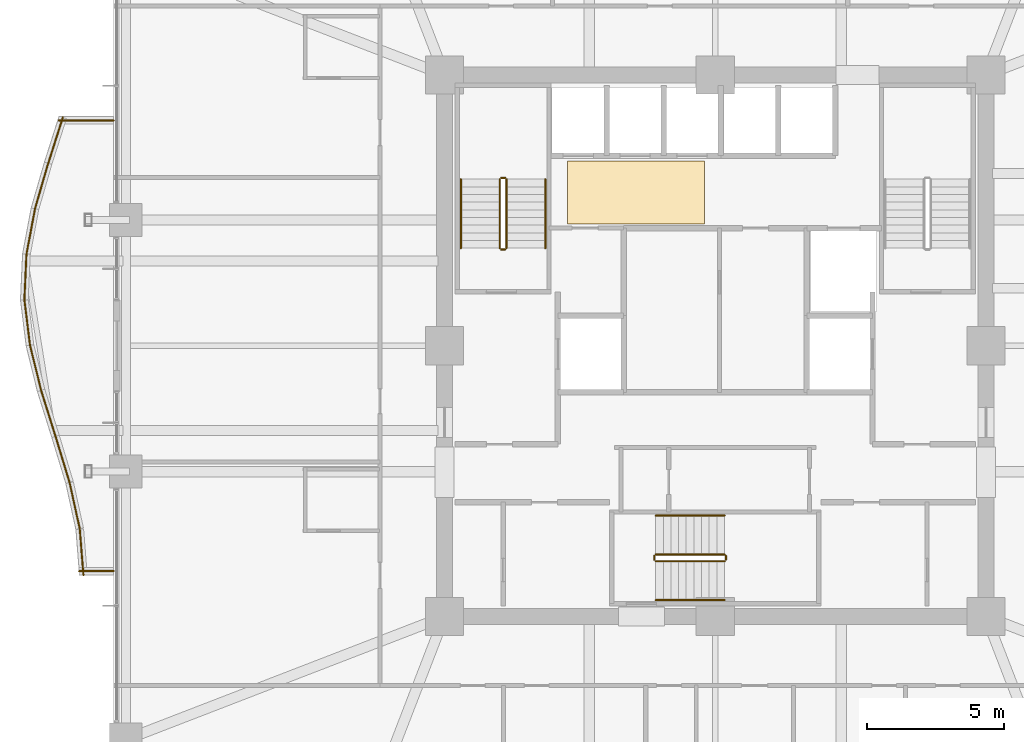
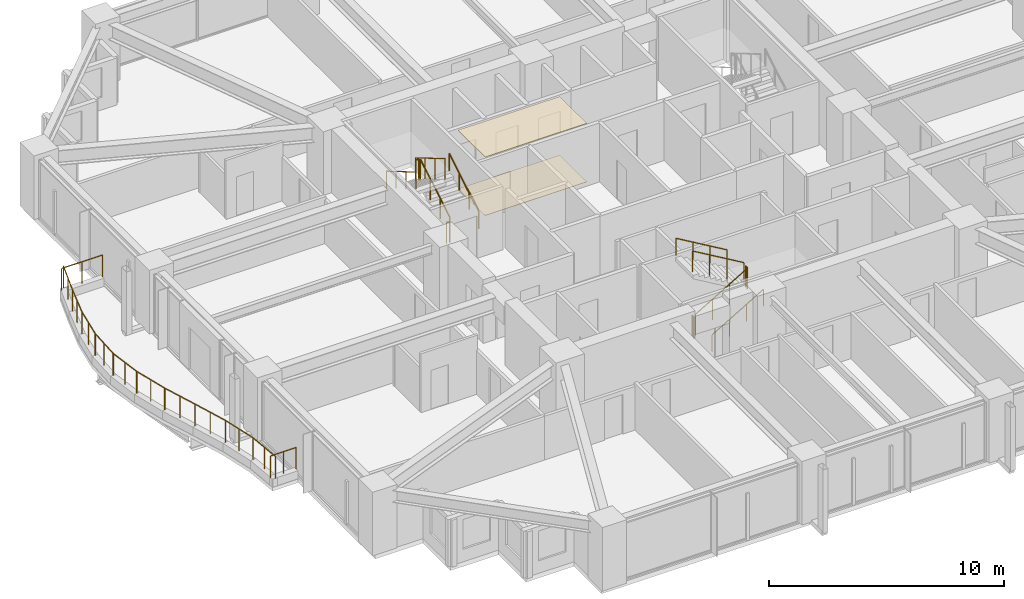
# One storey, part 37 of 38: 24 railings, 2 coverings.
"""IFC4 building model written with IfcOpenShell, lengths in metres."""

from ifc_helpers import new_model, si_unit, direction, frame, origin, origin_2d, place, context, subcontext, project, spatial, polyline, circle, outline, extrude, material, layer, layer_set, type_object, element, save


model = new_model("IFC4")

# Units and contexts
model_context = context("Model", 3, precision=1e-05, world=origin(), true_north=direction((0.0, 1.0)))
body_context = subcontext(model_context, "Body", "Model", "MODEL_VIEW")
ifc_project = project(units=[si_unit("LENGTHUNIT", "METRE"), si_unit("AREAUNIT", "SQUARE_METRE"), si_unit("VOLUMEUNIT", "CUBIC_METRE"), si_unit("PLANEANGLEUNIT", "RADIAN"), si_unit("MASSUNIT", "GRAM", prefix="KILO")], contexts=[model_context])

# Site, building, storey
site_placement = place(None, origin())
site = spatial("IfcSite", under=ifc_project, at=site_placement, CompositionType="ELEMENT")
building_placement = place(site_placement, origin())
building = spatial("IfcBuilding", under=site, at=building_placement, Name="Kolvaren Belvedere", CompositionType="ELEMENT")
storey_placement = place(building_placement, frame((0.0, 0.0, 53.5)))
storey = spatial("IfcBuildingStorey", under=building, at=storey_placement, Name="L15", CompositionType="ELEMENT", Elevation=53.5)

# Coverings
ifc_material_1 = material(Name="Acoustic perforated gypsum board", Category="gypsum")
ifc_layer_1 = layer(ifc_material_1, 0.02490234375)
ifc_layer_set_1 = layer_set([ifc_layer_1], Name="Acoustic perforated gypsum board")
covering_type_1 = type_object("IfcCoveringType", Name="COV-CEIL-GYP", PredefinedType="CEILING", material=ifc_layer_set_1)
covering_1_placement = place(storey_placement, frame((0.0, 0.0, 3.034912109375)))
element("IfcCovering", 1, at=covering_1_placement, inside=storey, type_object=covering_type_1, Name="L15 Lift Lobby Acoustic Baffle Ceiling", PredefinedType="CEILING", context=body_context, shape_type="SweptSolid", body=[
    extrude(outline(polyline([(-5.39990234375, 4.449951171875), (-0.39990234375, 4.449951171875), (-0.39990234375, 6.75), (-5.39990234375, 6.75), (-5.39990234375, 4.449951171875)])), origin(), (0.0, 0.0, 1.0), 0.025146484375),
])
ifc_material_2 = material(Name="Engineered Pacific white oak", Category="timber")
ifc_layer_2 = layer(ifc_material_2, 0.02001953125)
ifc_layer_set_2 = layer_set([ifc_layer_2], Name="Engineered Pacific white oak")
covering_type_2 = type_object("IfcCoveringType", Name="COV-FLR-OAK", PredefinedType="FLOORING", material=ifc_layer_set_2)
covering_2_placement = place(storey_placement, origin())
element("IfcCovering", 2, at=covering_2_placement, inside=storey, type_object=covering_type_2, Name="L15 Lift Lobby Finish Flooring", PredefinedType="FLOORING", context=body_context, shape_type="SweptSolid", body=[
    extrude(outline(polyline([(-5.39990234375, 4.449951171875), (-0.39990234375, 4.449951171875), (-0.39990234375, 6.75), (-5.39990234375, 6.75), (-5.39990234375, 4.449951171875)])), origin(), (0.0, 0.0, 1.0), 0.02001953125),
])

# Railings
ifc_material_3 = material(Name="Anodised pale-metal aluminium & laminated glass guard", Category="aluminium")
railing_type_1 = type_object("IfcRailingType", Name="RL-GUARD-1150", PredefinedType="GUARDRAIL", material=ifc_material_3)
railing_1_placement = place(storey_placement, frame((-23.85400390625, 8.351318359375, 0.360107421875)))
element("IfcRailing", 3, at=railing_1_placement, inside=storey, type_object=railing_type_1, Name="L15 Exterior Deck Safety Guard BAL-W-1", PredefinedType="GUARDRAIL", context=body_context, shape_type="SweptSolid", body=[
    extrude(circle(Radius=0.02392578125, at=origin_2d()), frame((0.0, 0.0, 1.1259765625), z_axis=(-0.303906495014, -0.952701864325, 0.0), x_axis=(0.952701864325, -0.303906495014, 0.0)), (0.0, 0.0, 1.0), 1.763427734375),
    extrude(circle(Radius=0.02099609375, at=origin_2d()), origin(), (0.0, 0.0, 1.0), 1.101806640625),
    extrude(circle(Radius=0.02099609375, at=origin_2d()), frame((-0.26806640625, -0.83984375, 0.0)), (0.0, 0.0, 1.0), 1.101806640625),
    extrude(circle(Radius=0.02099609375, at=origin_2d()), frame((-0.535888671875, -1.679931640625, 0.0)), (0.0, 0.0, 1.0), 1.101806640625),
])
railing_2_placement = place(storey_placement, frame((-24.388671875, 6.675537109375, 0.360107421875)))
element("IfcRailing", 4, at=railing_2_placement, inside=storey, type_object=railing_type_1, Name="L15 Exterior Deck Safety Guard BAL-W-2", PredefinedType="GUARDRAIL", context=body_context, shape_type="SweptSolid", body=[
    extrude(circle(Radius=0.02392578125, at=origin_2d()), frame((0.0, 0.0, 1.1259765625), z_axis=(-0.277946215201, -0.96059663827, 0.0), x_axis=(0.96059663827, -0.277946215201, 0.0)), (0.0, 0.0, 1.0), 1.748779296875),
    extrude(circle(Radius=0.02099609375, at=origin_2d()), origin(), (0.0, 0.0, 1.0), 1.101806640625),
    extrude(circle(Radius=0.02099609375, at=origin_2d()), frame((-0.2431640625, -0.83984375, 0.0)), (0.0, 0.0, 1.0), 1.101806640625),
    extrude(circle(Radius=0.02099609375, at=origin_2d()), frame((-0.486083984375, -1.679931640625, 0.0)), (0.0, 0.0, 1.0), 1.101806640625),
])
railing_3_placement = place(storey_placement, frame((-24.87109375, 5.010498046875, 0.360107421875)))
element("IfcRailing", 5, at=railing_3_placement, inside=storey, type_object=railing_type_1, Name="L15 Exterior Deck Safety Guard BAL-W-3", PredefinedType="GUARDRAIL", context=body_context, shape_type="SweptSolid", body=[
    extrude(circle(Radius=0.02392578125, at=origin_2d()), frame((0.0, 0.0, 1.1259765625), z_axis=(-0.184788595231, -0.982778293957, 0.0), x_axis=(0.982778293957, -0.184788595231, 0.0)), (0.0, 0.0, 1.0), 1.709716796875),
    extrude(circle(Radius=0.02099609375, at=origin_2d()), origin(), (0.0, 0.0, 1.0), 1.101806640625),
    extrude(circle(Radius=0.02099609375, at=origin_2d()), frame((-0.157958984375, -0.840087890625, 0.0)), (0.0, 0.0, 1.0), 1.101806640625),
    extrude(circle(Radius=0.02099609375, at=origin_2d()), frame((-0.31591796875, -1.68017578125, 0.0)), (0.0, 0.0, 1.0), 1.101806640625),
])
railing_4_placement = place(storey_placement, frame((-25.184326171875, 3.352783203125, 0.360107421875)))
element("IfcRailing", 6, at=railing_4_placement, inside=storey, type_object=railing_type_1, Name="L15 Exterior Deck Safety Guard BAL-W-4", PredefinedType="GUARDRAIL", context=body_context, shape_type="SweptSolid", body=[
    extrude(circle(Radius=0.02392578125, at=origin_2d()), frame((0.0, 0.0, 1.1259765625), z_axis=(-0.045150826395, -0.998980181423, 0.0), x_axis=(0.998980181423, -0.045150826395, 0.0)), (0.0, 0.0, 1.0), 1.681640625),
    extrude(circle(Radius=0.02099609375, at=origin_2d()), origin(), (0.0, 0.0, 1.0), 1.101806640625),
    extrude(circle(Radius=0.02099609375, at=origin_2d()), frame((-0.0380859375, -0.83984375, 0.0)), (0.0, 0.0, 1.0), 1.101806640625),
    extrude(circle(Radius=0.02099609375, at=origin_2d()), frame((-0.075927734375, -1.679931640625, 0.0)), (0.0, 0.0, 1.0), 1.101806640625),
])
railing_5_placement = place(storey_placement, frame((-25.26123046875, 1.699462890625, 0.360107421875)))
element("IfcRailing", 7, at=railing_5_placement, inside=storey, type_object=railing_type_1, Name="L15 Exterior Deck Safety Guard BAL-W-5", PredefinedType="GUARDRAIL", context=body_context, shape_type="SweptSolid", body=[
    extrude(circle(Radius=0.02392578125, at=origin_2d()), frame((0.0, 0.0, 1.1259765625), z_axis=(0.121886315522, -0.99254406758, 0.0), x_axis=(0.99254406758, 0.121886315522, 0.0)), (0.0, 0.0, 1.0), 1.692626953125),
    extrude(circle(Radius=0.02099609375, at=origin_2d()), origin(), (0.0, 0.0, 1.0), 1.101806640625),
    extrude(circle(Radius=0.02099609375, at=origin_2d()), frame((0.10302734375, -0.83984375, 0.0)), (0.0, 0.0, 1.0), 1.101806640625),
    extrude(circle(Radius=0.02099609375, at=origin_2d()), frame((0.206298828125, -1.679931640625, 0.0)), (0.0, 0.0, 1.0), 1.101806640625),
])
railing_6_placement = place(storey_placement, frame((-25.058349609375, 0.038330078125, 0.360107421875)))
element("IfcRailing", 8, at=railing_6_placement, inside=storey, type_object=railing_type_1, Name="L15 Exterior Deck Safety Guard BAL-W-6", PredefinedType="GUARDRAIL", context=body_context, shape_type="SweptSolid", body=[
    extrude(circle(Radius=0.02392578125, at=origin_2d()), frame((0.0, 0.0, 1.1259765625), z_axis=(0.23931377861, -0.970942282202, 0.0), x_axis=(0.970942282202, 0.23931377861, 0.0)), (0.0, 0.0, 1.0), 1.730224609375),
    extrude(circle(Radius=0.02099609375, at=origin_2d()), origin(), (0.0, 0.0, 1.0), 1.101806640625),
    extrude(circle(Radius=0.02099609375, at=origin_2d()), frame((0.20703125, -0.83984375, 0.0)), (0.0, 0.0, 1.0), 1.101806640625),
    extrude(circle(Radius=0.02099609375, at=origin_2d()), frame((0.4140625, -1.679931640625, 0.0)), (0.0, 0.0, 1.0), 1.101806640625),
])
railing_7_placement = place(storey_placement, frame((-24.647216796875, -1.632080078125, 0.360107421875)))
element("IfcRailing", 9, at=railing_7_placement, inside=storey, type_object=railing_type_1, Name="L15 Exterior Deck Safety Guard BAL-W-7", PredefinedType="GUARDRAIL", context=body_context, shape_type="SweptSolid", body=[
    extrude(circle(Radius=0.02392578125, at=origin_2d()), frame((0.0, 0.0, 1.1259765625), z_axis=(0.299624691176, -0.954057149461, 0.0), x_axis=(0.954057149461, 0.299624691176, 0.0)), (0.0, 0.0, 1.0), 1.7607421875),
    extrude(circle(Radius=0.02099609375, at=origin_2d()), origin(), (0.0, 0.0, 1.0), 1.101806640625),
    extrude(circle(Radius=0.02099609375, at=origin_2d()), frame((0.263671875, -0.83984375, 0.0)), (0.0, 0.0, 1.0), 1.101806640625),
    extrude(circle(Radius=0.02099609375, at=origin_2d()), frame((0.527587890625, -1.679931640625, 0.0)), (0.0, 0.0, 1.0), 1.101806640625),
])
railing_8_placement = place(storey_placement, frame((-24.119140625, -3.3134765625, 0.360107421875)))
element("IfcRailing", 10, at=railing_8_placement, inside=storey, type_object=railing_type_1, Name="L15 Exterior Deck Safety Guard BAL-W-8", PredefinedType="GUARDRAIL", context=body_context, shape_type="SweptSolid", body=[
    extrude(circle(Radius=0.02392578125, at=origin_2d()), frame((0.0, 0.0, 1.1259765625), z_axis=(0.291006697567, -0.956721015747, 0.0), x_axis=(0.956721015747, 0.291006697567, 0.0)), (0.0, 0.0, 1.0), 1.755859375),
    extrude(circle(Radius=0.02099609375, at=origin_2d()), origin(), (0.0, 0.0, 1.0), 1.101806640625),
    extrude(circle(Radius=0.02099609375, at=origin_2d()), frame((0.25537109375, -0.83984375, 0.0)), (0.0, 0.0, 1.0), 1.101806640625),
    extrude(circle(Radius=0.02099609375, at=origin_2d()), frame((0.510986328125, -1.679931640625, 0.0)), (0.0, 0.0, 1.0), 1.101806640625),
])
railing_9_placement = place(storey_placement, frame((-23.60498046875, -5.005859375, 0.360107421875)))
element("IfcRailing", 11, at=railing_9_placement, inside=storey, type_object=railing_type_1, Name="L15 Exterior Deck Safety Guard BAL-W-9", PredefinedType="GUARDRAIL", context=body_context, shape_type="SweptSolid", body=[
    extrude(circle(Radius=0.02392578125, at=origin_2d()), frame((0.0, 0.0, 1.1259765625), z_axis=(0.213802724545, -0.976876857632, 0.0), x_axis=(0.976876857632, 0.213802724545, 0.0)), (0.0, 0.0, 1.0), 1.7197265625),
    extrude(circle(Radius=0.02099609375, at=origin_2d()), origin(), (0.0, 0.0, 1.0), 1.101806640625),
    extrude(circle(Radius=0.02099609375, at=origin_2d()), frame((0.183837890625, -0.83984375, 0.0)), (0.0, 0.0, 1.0), 1.101806640625),
    extrude(circle(Radius=0.02099609375, at=origin_2d()), frame((0.36767578125, -1.679931640625, 0.0)), (0.0, 0.0, 1.0), 1.101806640625),
])
railing_10_placement = place(storey_placement, frame((-23.234130859375, -6.707275390625, 0.360107421875)))
element("IfcRailing", 12, at=railing_10_placement, inside=storey, type_object=railing_type_1, Name="L15 Exterior Deck Safety Guard BAL-W-10", PredefinedType="GUARDRAIL", context=body_context, shape_type="SweptSolid", body=[
    extrude(circle(Radius=0.02392578125, at=origin_2d()), frame((0.0, 0.0, 1.1259765625), z_axis=(0.079244268248, -0.99685522818, 0.0), x_axis=(0.99685522818, 0.079244268248, 0.0)), (0.0, 0.0, 1.0), 1.685302734375),
    extrude(circle(Radius=0.02099609375, at=origin_2d()), origin(), (0.0, 0.0, 1.0), 1.101806640625),
    extrude(circle(Radius=0.02099609375, at=origin_2d()), frame((0.06689453125, -0.83984375, 0.0)), (0.0, 0.0, 1.0), 1.101806640625),
    extrude(circle(Radius=0.02099609375, at=origin_2d()), frame((0.133544921875, -1.679931640625, 0.0)), (0.0, 0.0, 1.0), 1.101806640625),
])
railing_11_placement = place(storey_placement, frame((-23.260009765625, -8.239990234375, 0.360107421875)))
element("IfcRailing", 13, at=railing_11_placement, inside=storey, type_object=railing_type_1, Name="L15 Exterior Deck Safety Guard BAL-W-11", PredefinedType="GUARDRAIL", context=body_context, shape_type="SweptSolid", body=[
    extrude(circle(Radius=0.02392578125, at=origin_2d()), frame((0.0, 0.0, 1.1259765625), z_axis=(1.0, 0.0, 0.0), x_axis=(0.0, 1.0, 0.0)), (0.0, 0.0, 1.0), 1.260009765625),
    extrude(circle(Radius=0.02099609375, at=origin_2d()), origin(), (0.0, 0.0, 1.0), 1.101806640625),
    extrude(circle(Radius=0.02099609375, at=origin_2d()), frame((0.6298828125, 0.0, 0.0)), (0.0, 0.0, 1.0), 1.101806640625),
    extrude(circle(Radius=0.02099609375, at=origin_2d()), frame((1.260009765625, 0.0, 0.0)), (0.0, 0.0, 1.0), 1.101806640625),
])
railing_12_placement = place(storey_placement, frame((-22.0, 8.239990234375, 0.360107421875)))
element("IfcRailing", 14, at=railing_12_placement, inside=storey, type_object=railing_type_1, Name="L15 Exterior Deck Safety Guard BAL-W-22", PredefinedType="GUARDRAIL", context=body_context, shape_type="SweptSolid", body=[
    extrude(circle(Radius=0.02392578125, at=origin_2d()), frame((0.0, 0.0, 1.1259765625), z_axis=(-1.0, 0.0, 0.0), x_axis=(0.0, -1.0, 0.0)), (0.0, 0.0, 1.0), 2.00634765625),
    extrude(circle(Radius=0.02099609375, at=origin_2d()), origin(), (0.0, 0.0, 1.0), 1.101806640625),
    extrude(circle(Radius=0.02099609375, at=origin_2d()), frame((-1.003173828125, 0.0, 0.0)), (0.0, 0.0, 1.0), 1.101806640625),
    extrude(circle(Radius=0.02099609375, at=origin_2d()), frame((-2.00634765625, 0.0, 0.0)), (0.0, 0.0, 1.0), 1.101806640625),
])
ifc_material_4 = material(Name="Brushed stainless-steel handrail", Category="steel")
railing_type_2 = type_object("IfcRailingType", Name="RL-HANDRAIL-920", PredefinedType="HANDRAIL", material=ifc_material_4)
railing_13_placement = place(storey_placement, frame((-6.2099609375, 3.570068359375, 0.1650390625)))
element("IfcRailing", 15, at=railing_13_placement, inside=storey, type_object=railing_type_2, Name="L15 ST-1 stair handrail 1", PredefinedType="HANDRAIL", context=body_context, shape_type="SweptSolid", body=[
    extrude(circle(Radius=0.02392578125, at=origin_2d()), frame((0.0, 0.0, 0.8759765625), z_axis=(0.0, 0.861560626758, 0.507654692109), x_axis=(-1.0, 0.0, 0.0)), (0.0, 0.0, 1.0), 2.925048828125),
    extrude(circle(Radius=0.02099609375, at=origin_2d()), origin(), (0.0, 0.0, 1.0), 0.851806640625),
    extrude(circle(Radius=0.02099609375, at=origin_2d()), frame((0.0, 0.840087890625, 0.494873046875)), (0.0, 0.0, 1.0), 0.851806640625),
    extrude(circle(Radius=0.02099609375, at=origin_2d()), frame((0.0, 1.679931640625, 0.989990234375)), (0.0, 0.0, 1.0), 0.851806640625),
    extrude(circle(Radius=0.02099609375, at=origin_2d()), frame((0.0, 2.52001953125, 1.48486328125)), (0.0, 0.0, 1.0), 0.851806640625),
])
railing_14_placement = place(storey_placement, frame((-9.300048828125, 6.090087890625, 1.81494140625)))
element("IfcRailing", 16, at=railing_14_placement, inside=storey, type_object=railing_type_2, Name="L15 ST-1 stair handrail 2", PredefinedType="HANDRAIL", context=body_context, shape_type="SweptSolid", body=[
    extrude(circle(Radius=0.02392578125, at=origin_2d()), frame((0.0, 0.0, 0.8759765625), z_axis=(0.0, -0.86152411907, 0.507716645641), x_axis=(1.0, 0.0, 0.0)), (0.0, 0.0, 1.0), 2.925048828125),
    extrude(circle(Radius=0.02099609375, at=origin_2d()), origin(), (0.0, 0.0, 1.0), 0.851806640625),
    extrude(circle(Radius=0.02099609375, at=origin_2d()), frame((0.0, -0.840087890625, 0.4951171875)), (0.0, 0.0, 1.0), 0.851806640625),
    extrude(circle(Radius=0.02099609375, at=origin_2d()), frame((0.0, -1.679931640625, 0.989990234375)), (0.0, 0.0, 1.0), 0.851806640625),
    extrude(circle(Radius=0.02099609375, at=origin_2d()), frame((0.0, -2.52001953125, 1.485107421875)), (0.0, 0.0, 1.0), 0.851806640625),
])
railing_15_placement = place(storey_placement, frame((-2.179931640625, -9.300048828125, 0.1650390625)))
element("IfcRailing", 17, at=railing_15_placement, inside=storey, type_object=railing_type_2, Name="L15 ST-3 stair handrail 1", PredefinedType="HANDRAIL", context=body_context, shape_type="SweptSolid", body=[
    extrude(circle(Radius=0.02392578125, at=origin_2d()), frame((0.0, 0.0, 0.8759765625), z_axis=(0.861560626758, 0.0, 0.507654692109), x_axis=(0.0, 1.0, 0.0)), (0.0, 0.0, 1.0), 2.925048828125),
    extrude(circle(Radius=0.02099609375, at=origin_2d()), origin(), (0.0, 0.0, 1.0), 0.851806640625),
    extrude(circle(Radius=0.02099609375, at=origin_2d()), frame((0.840087890625, 0.0, 0.494873046875)), (0.0, 0.0, 1.0), 0.851806640625),
    extrude(circle(Radius=0.02099609375, at=origin_2d()), frame((1.679931640625, 0.0, 0.989990234375)), (0.0, 0.0, 1.0), 0.851806640625),
    extrude(circle(Radius=0.02099609375, at=origin_2d()), frame((2.52001953125, 0.0, 1.48486328125)), (0.0, 0.0, 1.0), 0.851806640625),
])
railing_16_placement = place(storey_placement, frame((0.340087890625, -6.2099609375, 1.81494140625)))
element("IfcRailing", 18, at=railing_16_placement, inside=storey, type_object=railing_type_2, Name="L15 ST-3 stair handrail 2", PredefinedType="HANDRAIL", context=body_context, shape_type="SweptSolid", body=[
    extrude(circle(Radius=0.02392578125, at=origin_2d()), frame((0.0, 0.0, 0.8759765625), z_axis=(-0.86152411907, 0.0, 0.507716645641), x_axis=(0.0, -1.0, 0.0)), (0.0, 0.0, 1.0), 2.925048828125),
    extrude(circle(Radius=0.02099609375, at=origin_2d()), origin(), (0.0, 0.0, 1.0), 0.851806640625),
    extrude(circle(Radius=0.02099609375, at=origin_2d()), frame((-0.840087890625, 0.0, 0.4951171875)), (0.0, 0.0, 1.0), 0.851806640625),
    extrude(circle(Radius=0.02099609375, at=origin_2d()), frame((-1.679931640625, 0.0, 0.989990234375)), (0.0, 0.0, 1.0), 0.851806640625),
    extrude(circle(Radius=0.02099609375, at=origin_2d()), frame((-2.52001953125, 0.0, 1.485107421875)), (0.0, 0.0, 1.0), 0.851806640625),
])
ifc_material_5 = material(Name="Painted tubular steel stair guard", Category="steel")
railing_type_3 = type_object("IfcRailingType", Name="RL-STGUARD-1100", PredefinedType="GUARDRAIL", material=ifc_material_5)
railing_17_placement = place(storey_placement, frame((-7.6298828125, 3.570068359375, 0.1650390625)))
element("IfcRailing", 19, at=railing_17_placement, inside=storey, type_object=railing_type_3, Name="L15 ST-1 stair guard 1", PredefinedType="GUARDRAIL", context=body_context, shape_type="SweptSolid", body=[
    extrude(circle(Radius=0.02392578125, at=origin_2d()), frame((0.0, 0.0, 1.076171875), z_axis=(0.0, 0.861560626758, 0.507654692109), x_axis=(-1.0, 0.0, 0.0)), (0.0, 0.0, 1.0), 2.925048828125),
    extrude(circle(Radius=0.02099609375, at=origin_2d()), origin(), (0.0, 0.0, 1.0), 1.052001953125),
    extrude(circle(Radius=0.02099609375, at=origin_2d()), frame((0.0, 0.840087890625, 0.494873046875)), (0.0, 0.0, 1.0), 1.052001953125),
    extrude(circle(Radius=0.02099609375, at=origin_2d()), frame((0.0, 1.679931640625, 0.989990234375)), (0.0, 0.0, 1.0), 1.052001953125),
    extrude(circle(Radius=0.02099609375, at=origin_2d()), frame((0.0, 2.52001953125, 1.48486328125)), (0.0, 0.0, 1.0), 1.052001953125),
])
railing_18_placement = place(storey_placement, frame((-7.679931640625, 6.139892578125, 1.64990234375)))
element("IfcRailing", 20, at=railing_18_placement, inside=storey, type_object=railing_type_3, Name="L15 ST-1 stair guard 2", PredefinedType="GUARDRAIL", context=body_context, shape_type="SweptSolid", body=[
    extrude(circle(Radius=0.02392578125, at=origin_2d()), frame((0.0, 0.0, 1.076171875), z_axis=(-1.0, 0.0, 0.0), x_axis=(0.0, -1.0, 0.0)), (0.0, 0.0, 1.0), 0.150146484375),
    extrude(circle(Radius=0.02099609375, at=origin_2d()), origin(), (0.0, 0.0, 1.0), 1.052001953125),
    extrude(circle(Radius=0.02099609375, at=origin_2d()), frame((-0.150146484375, 0.0, 0.0)), (0.0, 0.0, 1.0), 1.052001953125),
])
railing_19_placement = place(storey_placement, frame((-7.8798828125, 6.090087890625, 1.81494140625)))
element("IfcRailing", 21, at=railing_19_placement, inside=storey, type_object=railing_type_3, Name="L15 ST-1 stair guard 3", PredefinedType="GUARDRAIL", context=body_context, shape_type="SweptSolid", body=[
    extrude(circle(Radius=0.02392578125, at=origin_2d()), frame((0.0, 0.0, 1.076171875), z_axis=(0.0, -0.86152411907, 0.507716645641), x_axis=(1.0, 0.0, 0.0)), (0.0, 0.0, 1.0), 2.925048828125),
    extrude(circle(Radius=0.02099609375, at=origin_2d()), origin(), (0.0, 0.0, 1.0), 1.052001953125),
    extrude(circle(Radius=0.02099609375, at=origin_2d()), frame((0.0, -0.840087890625, 0.4951171875)), (0.0, 0.0, 1.0), 1.052001953125),
    extrude(circle(Radius=0.02099609375, at=origin_2d()), frame((0.0, -1.679931640625, 0.989990234375)), (0.0, 0.0, 1.0), 1.052001953125),
    extrude(circle(Radius=0.02099609375, at=origin_2d()), frame((0.0, -2.52001953125, 1.485107421875)), (0.0, 0.0, 1.0), 1.052001953125),
])
railing_20_placement = place(storey_placement, frame((-7.679931640625, 3.52001953125, 0.0)))
element("IfcRailing", 22, at=railing_20_placement, inside=storey, type_object=railing_type_3, Name="L15 ST-1 stair guard 4", PredefinedType="GUARDRAIL", context=body_context, shape_type="SweptSolid", body=[
    extrude(circle(Radius=0.02392578125, at=origin_2d()), frame((0.0, 0.0, 1.076171875), z_axis=(-1.0, 0.0, 0.0), x_axis=(0.0, -1.0, 0.0)), (0.0, 0.0, 1.0), 0.150146484375),
    extrude(circle(Radius=0.02099609375, at=origin_2d()), origin(), (0.0, 0.0, 1.0), 1.052001953125),
    extrude(circle(Radius=0.02099609375, at=origin_2d()), frame((-0.150146484375, 0.0, 0.0)), (0.0, 0.0, 1.0), 1.052001953125),
])
railing_21_placement = place(storey_placement, frame((-2.179931640625, -7.8798828125, 0.1650390625)))
element("IfcRailing", 23, at=railing_21_placement, inside=storey, type_object=railing_type_3, Name="L15 ST-3 stair guard 1", PredefinedType="GUARDRAIL", context=body_context, shape_type="SweptSolid", body=[
    extrude(circle(Radius=0.02392578125, at=origin_2d()), frame((0.0, 0.0, 1.076171875), z_axis=(0.861560626758, 0.0, 0.507654692109), x_axis=(0.0, 1.0, 0.0)), (0.0, 0.0, 1.0), 2.925048828125),
    extrude(circle(Radius=0.02099609375, at=origin_2d()), origin(), (0.0, 0.0, 1.0), 1.052001953125),
    extrude(circle(Radius=0.02099609375, at=origin_2d()), frame((0.840087890625, 0.0, 0.494873046875)), (0.0, 0.0, 1.0), 1.052001953125),
    extrude(circle(Radius=0.02099609375, at=origin_2d()), frame((1.679931640625, 0.0, 0.989990234375)), (0.0, 0.0, 1.0), 1.052001953125),
    extrude(circle(Radius=0.02099609375, at=origin_2d()), frame((2.52001953125, 0.0, 1.48486328125)), (0.0, 0.0, 1.0), 1.052001953125),
])
railing_22_placement = place(storey_placement, frame((0.389892578125, -7.830078125, 1.64990234375)))
element("IfcRailing", 24, at=railing_22_placement, inside=storey, type_object=railing_type_3, Name="L15 ST-3 stair guard 2", PredefinedType="GUARDRAIL", context=body_context, shape_type="SweptSolid", body=[
    extrude(circle(Radius=0.02392578125, at=origin_2d()), frame((0.0, 0.0, 1.076171875), z_axis=(0.0, 1.0, 0.0), x_axis=(-1.0, 0.0, 0.0)), (0.0, 0.0, 1.0), 0.150146484375),
    extrude(circle(Radius=0.02099609375, at=origin_2d()), origin(), (0.0, 0.0, 1.0), 1.052001953125),
    extrude(circle(Radius=0.02099609375, at=origin_2d()), frame((0.0, 0.150146484375, 0.0)), (0.0, 0.0, 1.0), 1.052001953125),
])
railing_23_placement = place(storey_placement, frame((0.340087890625, -7.6298828125, 1.81494140625)))
element("IfcRailing", 25, at=railing_23_placement, inside=storey, type_object=railing_type_3, Name="L15 ST-3 stair guard 3", PredefinedType="GUARDRAIL", context=body_context, shape_type="SweptSolid", body=[
    extrude(circle(Radius=0.02392578125, at=origin_2d()), frame((0.0, 0.0, 1.076171875), z_axis=(-0.86152411907, 0.0, 0.507716645641), x_axis=(0.0, -1.0, 0.0)), (0.0, 0.0, 1.0), 2.925048828125),
    extrude(circle(Radius=0.02099609375, at=origin_2d()), origin(), (0.0, 0.0, 1.0), 1.052001953125),
    extrude(circle(Radius=0.02099609375, at=origin_2d()), frame((-0.840087890625, 0.0, 0.4951171875)), (0.0, 0.0, 1.0), 1.052001953125),
    extrude(circle(Radius=0.02099609375, at=origin_2d()), frame((-1.679931640625, 0.0, 0.989990234375)), (0.0, 0.0, 1.0), 1.052001953125),
    extrude(circle(Radius=0.02099609375, at=origin_2d()), frame((-2.52001953125, 0.0, 1.485107421875)), (0.0, 0.0, 1.0), 1.052001953125),
])
railing_24_placement = place(storey_placement, frame((-2.22998046875, -7.830078125, 0.0)))
element("IfcRailing", 26, at=railing_24_placement, inside=storey, type_object=railing_type_3, Name="L15 ST-3 stair guard 4", PredefinedType="GUARDRAIL", context=body_context, shape_type="SweptSolid", body=[
    extrude(circle(Radius=0.02392578125, at=origin_2d()), frame((0.0, 0.0, 1.076171875), z_axis=(0.0, 1.0, 0.0), x_axis=(-1.0, 0.0, 0.0)), (0.0, 0.0, 1.0), 0.150146484375),
    extrude(circle(Radius=0.02099609375, at=origin_2d()), origin(), (0.0, 0.0, 1.0), 1.052001953125),
    extrude(circle(Radius=0.02099609375, at=origin_2d()), frame((0.0, 0.150146484375, 0.0)), (0.0, 0.0, 1.0), 1.052001953125),
])

save(model, "model.ifc")
